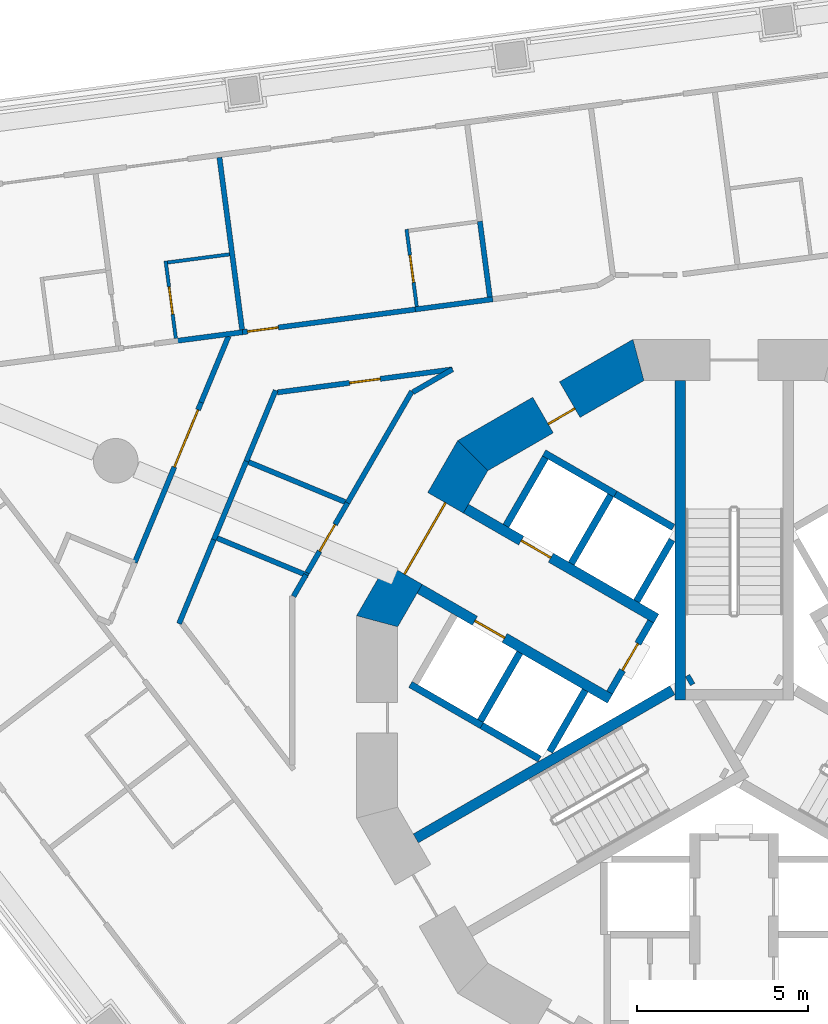
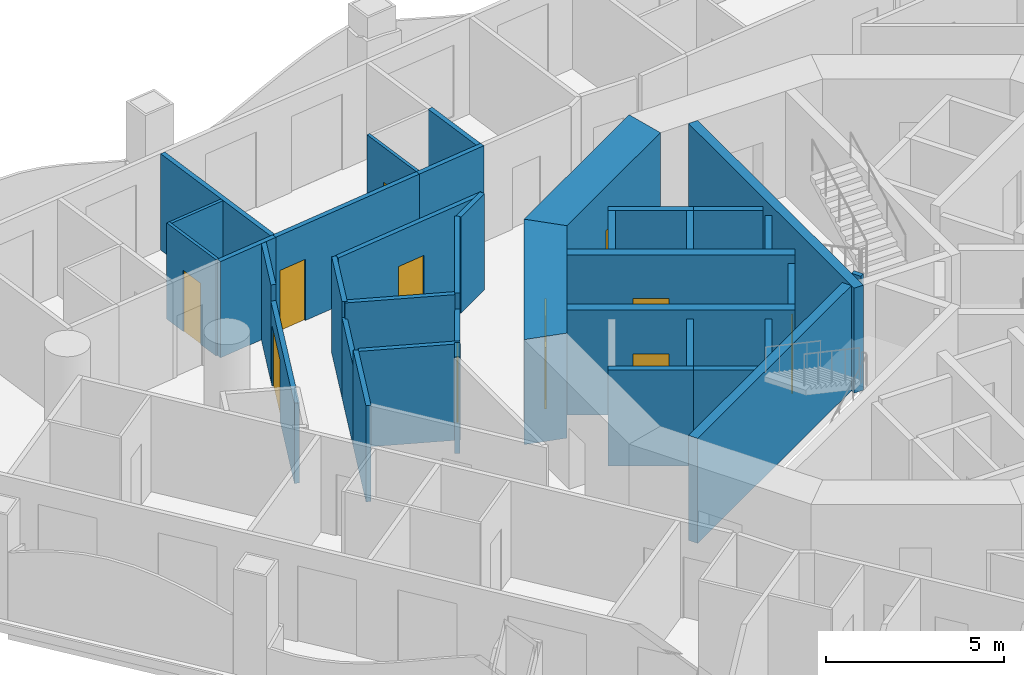
# One storey, part 7 of 19: 37 walls, 11 doors, 11 openings.
"""IFC4 building model written with IfcOpenShell, lengths in metres."""

import ifcopenshell
import ifcopenshell.guid

model = None  # the IFC model being written
_history = None  # IfcOwnerHistory: only IFC2X3 demands one
_inside = {}  # id of a spatial element -> (the spatial element, [elements in it])
_under = {}  # id of a project, library or spatial element -> (it, [spatial elements below it])
_declared = {}  # id of a project -> (the project, [libraries it declares])
_typed = {}  # id of a type object -> (the type object, [elements of that type])
_made_of = {}  # id of a material, layer set ... -> (it, [elements and type objects made of it])


def new_model(schema):
    """Start an empty IFC model of exactly this schema.

    Asked for "IFC4X3", IfcOpenShell would pick the latest addendum, in which some entities
    have other attributes; the version numbers below select the first issue.
    IFC2X3 requires an IfcOwnerHistory on every rooted entity: one is made here for all.
    """
    global model, _history
    if schema == "IFC4X3":
        model = ifcopenshell.file(schema_version=(4, 3, 0, 0))
    else:
        model = ifcopenshell.file(schema=schema)
    _inside.clear()
    _under.clear()
    _declared.clear()
    _typed.clear()
    _made_of.clear()
    _history = None
    if model.schema == "IFC2X3":
        org = make("IfcOrganization", Name="unknown")
        user = make(
            "IfcPersonAndOrganization",
            ThePerson=make("IfcPerson", FamilyName="unknown"),
            TheOrganization=org,
        )
        app = make(
            "IfcApplication",
            ApplicationDeveloper=org,
            Version="unknown",
            ApplicationFullName="unknown",
            ApplicationIdentifier="unknown",
        )
        _history = make(
            "IfcOwnerHistory",
            OwningUser=user,
            OwningApplication=app,
            ChangeAction="ADDED",
            CreationDate=0,
        )
    return model


def make(cls, **values):
    """One entity of the class cls with the attributes given. An attribute that is None is left unset."""
    return model.create_entity(
        cls, **{name: value for name, value in values.items() if value is not None}
    )


def rooted(cls, **values):
    """An entity with a GlobalId (a new one), such as an element, a storey or a relation."""
    return make(cls, GlobalId=ifcopenshell.guid.new(), OwnerHistory=_history, **values)


def si_unit(unit_type, name, prefix=None):
    """IfcSIUnit, for example si_unit("LENGTHUNIT", "METRE", prefix="MILLI")."""
    return make("IfcSIUnit", UnitType=unit_type, Prefix=prefix, Name=name)


def assignment(units):
    """IfcUnitAssignment: the units of a project."""
    return None if units is None else make("IfcUnitAssignment", Units=units)


def point(xyz):
    """IfcCartesianPoint."""
    return None if xyz is None else make("IfcCartesianPoint", Coordinates=xyz)


def direction(xyz):
    """IfcDirection."""
    return None if xyz is None else make("IfcDirection", DirectionRatios=xyz)


def frame(location, z_axis=None, x_axis=None):
    """IfcAxis2Placement3D, a coordinate frame: its origin and axes. An axis left out is left unset."""
    return make(
        "IfcAxis2Placement3D",
        Location=point(location),
        Axis=direction(z_axis),
        RefDirection=direction(x_axis),
    )


def frame_2d(location, x_axis=None):
    """IfcAxis2Placement2D, a coordinate frame in the plane: its origin and x axis."""
    return make(
        "IfcAxis2Placement2D", Location=point(location), RefDirection=direction(x_axis)
    )


def origin():
    """The frame at (0, 0, 0) with its axes left unset."""
    return frame((0.0, 0.0, 0.0))


def place(relative_to, where):
    """IfcLocalPlacement: puts the frame where relative to a parent placement (None: the world)."""
    return make(
        "IfcLocalPlacement", PlacementRelTo=relative_to, RelativePlacement=where
    )


def context(
    kind, dimensions, precision=None, world=None, true_north=None, identifier=None
):
    """IfcGeometricRepresentationContext, for example the 3D "Model" context."""
    return make(
        "IfcGeometricRepresentationContext",
        ContextIdentifier=identifier,
        ContextType=kind,
        CoordinateSpaceDimension=dimensions,
        Precision=precision,
        WorldCoordinateSystem=world,
        TrueNorth=true_north,
    )


def subcontext(parent, identifier, kind, view, scale=None):
    """IfcGeometricRepresentationSubContext, for example "Body" below "Model"."""
    return make(
        "IfcGeometricRepresentationSubContext",
        ContextIdentifier=identifier,
        ContextType=kind,
        ParentContext=parent,
        TargetScale=scale,
        TargetView=view,
    )


def project(units=None, contexts=None):
    """IfcProject with its units and contexts."""
    return rooted(
        "IfcProject",
        Name="project",
        RepresentationContexts=contexts,
        UnitsInContext=assignment(units),
    )


def spatial(cls, under=None, at=None, **own):
    """A site, building, storey or space (cls), placed at a placement, below another one or the project."""
    s = rooted(cls, ObjectPlacement=at, **own)
    if under is not None:
        _under.setdefault(under.id(), (under, []))[1].append(s)
    return s


def polyline(points):
    """IfcPolyline through the points."""
    return make("IfcPolyline", Points=[point(p) for p in points])


def profile(cls, at=None, kind="AREA", **sizes):
    """A parametric profile (cls). Its sizes go by their IFC names, for example OverallWidth=200.0."""
    return make(cls, ProfileType=kind, Position=at, **sizes)


def rectangle(**sizes):
    """IfcRectangleProfileDef."""
    return profile("IfcRectangleProfileDef", **sizes)


def outline(outer, holes=None, kind="AREA"):
    """IfcArbitraryClosedProfileDef: a profile drawn as a closed curve; with holes, ...WithVoids."""
    if holes is None:
        return make("IfcArbitraryClosedProfileDef", ProfileType=kind, OuterCurve=outer)
    return make(
        "IfcArbitraryProfileDefWithVoids",
        ProfileType=kind,
        OuterCurve=outer,
        InnerCurves=holes,
    )


def extrude(swept, where, along, depth):
    """IfcExtrudedAreaSolid: the profile swept, set in the frame where, extruded along a direction by depth."""
    return make(
        "IfcExtrudedAreaSolid",
        SweptArea=swept,
        Position=where,
        ExtrudedDirection=direction(along),
        Depth=depth,
    )


def shape(context_of_items, identifier, shape_type, items):
    """IfcShapeRepresentation: the items that make up one representation, for example the "Body"."""
    return make(
        "IfcShapeRepresentation",
        ContextOfItems=context_of_items,
        RepresentationIdentifier=identifier,
        RepresentationType=shape_type,
        Items=items,
    )


def material(Name=None, Category=None):
    """IfcMaterial."""
    return make("IfcMaterial", Name=Name, Category=Category)


def layer(
    of_material, thickness, ventilated=None, Name=None, Category=None, Priority=None
):
    """IfcMaterialLayer: one layer of a wall or slab, of a material (None: an air gap)."""
    return make(
        "IfcMaterialLayer",
        Material=of_material,
        LayerThickness=thickness,
        IsVentilated=ventilated,
        Name=Name,
        Category=Category,
        Priority=Priority,
    )


def layer_set(layers, Name=None):
    """IfcMaterialLayerSet."""
    return make("IfcMaterialLayerSet", MaterialLayers=layers, LayerSetName=Name)


def made_of(thing, what):
    """Note that an element or type object is made of a material, layer set ...; save() writes the relation."""
    if what is not None:
        _made_of.setdefault(what.id(), (what, []))[1].append(thing)
    return thing


def type_object(cls, material=None, **own):
    """A type object (cls), such as IfcWallType, which elements share."""
    return made_of(rooted(cls, **own), material)


def element(
    cls,
    number,
    at=None,
    inside=None,
    cuts=None,
    type_object=None,
    material=None,
    context=None,
    identifier="Body",
    shape_type=None,
    held_by="IfcProductDefinitionShape",
    body=None,
    shapes=None,
    **own,
):
    """One element of the class cls, such as IfcWall. Its Tag is "e" and its number.

    at: its placement. inside: the storey or other place that contains it. cuts: it is an
    opening in that element (IfcRelVoidsElement). A single representation is given by context,
    identifier, shape_type and body (its items); several are given by shapes. held_by: the class
    of the entity that holds the representations. save() writes the other relations.
    """
    e = rooted(cls, Tag="e%d" % number, ObjectPlacement=at, **own)
    if body is not None:
        shapes = [shape(context, identifier, shape_type, body)]
    if shapes is not None:
        e.Representation = make(held_by, Representations=shapes)
    if inside is not None:
        _inside.setdefault(inside.id(), (inside, []))[1].append(e)
    if cuts is not None:
        rooted(
            "IfcRelVoidsElement", RelatingBuildingElement=cuts, RelatedOpeningElement=e
        )
    if type_object is not None:
        _typed.setdefault(type_object.id(), (type_object, []))[1].append(e)
    return made_of(e, material)


def fill(opening, filler):
    """IfcRelFillsElement: the door or window that sits in an opening."""
    return rooted(
        "IfcRelFillsElement",
        RelatingOpeningElement=opening,
        RelatedBuildingElement=filler,
    )


def aggregate(whole, parts):
    """IfcRelAggregates: a whole, such as a stair, and the parts it consists of."""
    return rooted("IfcRelAggregates", RelatingObject=whole, RelatedObjects=parts)


def save(model, path):
    """Write the relations noted so far, then the file.

    IfcRelAggregates (storeys below a building ...), IfcRelContainedInSpatialStructure (elements
    in a storey), IfcRelDefinesByType, IfcRelAssociatesMaterial and IfcRelDeclares: one each for
    every whole, place, type object, material and project.
    """
    for whole, parts in _under.values():
        aggregate(whole, parts)
    for where, things in _inside.values():
        rooted(
            "IfcRelContainedInSpatialStructure",
            RelatedElements=things,
            RelatingStructure=where,
        )
    for kind, things in _typed.values():
        rooted("IfcRelDefinesByType", RelatedObjects=things, RelatingType=kind)
    for what, things in _made_of.values():
        rooted("IfcRelAssociatesMaterial", RelatedObjects=things, RelatingMaterial=what)
    for by, libraries in _declared.values():
        rooted("IfcRelDeclares", RelatingContext=by, RelatedDefinitions=libraries)
    model.write(path)


model = new_model("IFC4")

# Units and contexts
model_context = context("Model", 3, precision=1e-05, world=origin(), true_north=direction((0.0, 1.0)))
body_context = subcontext(model_context, "Body", "Model", "MODEL_VIEW")
ifc_project = project(units=[si_unit("LENGTHUNIT", "METRE"), si_unit("AREAUNIT", "SQUARE_METRE"), si_unit("VOLUMEUNIT", "CUBIC_METRE"), si_unit("PLANEANGLEUNIT", "RADIAN"), si_unit("MASSUNIT", "GRAM", prefix="KILO")], contexts=[model_context])

# Site, building, storey
site_placement = place(None, origin())
site = spatial("IfcSite", under=ifc_project, at=site_placement, CompositionType="ELEMENT")
building_placement = place(site_placement, origin())
building = spatial("IfcBuilding", under=site, at=building_placement, Name="Trine Commons Tower", CompositionType="ELEMENT")
storey_placement = place(building_placement, frame((0.0, 0.0, 72.0)))
storey = spatial("IfcBuildingStorey", under=building, at=storey_placement, Name="L17", CompositionType="ELEMENT", Elevation=72.0)

# Wall, opening, door
ifc_material_1 = material(Name="Fire-rated gypsum shaft wall system")
ifc_layer_1 = layer(ifc_material_1, 0.199951171875)
ifc_layer_set_1 = layer_set([ifc_layer_1], Name="Fire-rated gypsum shaft wall system")
wall_type_1 = type_object("IfcWallType", Name="Lobby end wall 200 mm, EI 120", PredefinedType="PARTITIONING", material=ifc_layer_set_1)
wall_1_placement = place(storey_placement, frame((77.569091796875, 65.2890625, 0.0), z_axis=(0.0, 0.0, 1.0), x_axis=(-0.50012165622, -0.865955154139, 0.0)))
wall_1 = element("IfcWall", 1, at=wall_1_placement, inside=storey, type_object=wall_type_1, Name="Lobby end wall L17", PredefinedType="PARTITIONING", context=body_context, shape_type="SweptSolid", body=[
    extrude(rectangle(XDim=2.39990234375, YDim=0.199951171875, at=frame_2d((1.199951171875, 0.0))), origin(), (0.0, 0.0, 1.0), 3.300048828125),
])
opening_1_placement = place(wall_1_placement, frame((0.749755859375, 0.0, 0.0)))
opening_1 = element("IfcOpeningElement", 2, at=opening_1_placement, cuts=wall_1, Name="Opening K04.07", PredefinedType="OPENING", context=body_context, shape_type="SweptSolid", body=[
    extrude(rectangle(XDim=0.89990234375, YDim=2.10009765625, at=frame_2d((0.449951171875, 1.050048828125))), frame((0.0, 0.10986328125, 0.0), z_axis=(0.0, -1.0, 0.0), x_axis=(1.0, 0.0, 0.0)), (0.0, 0.0, 1.0), 0.219970703125),
])
ifc_material_2 = material(Name="Steel door leaf, fire-rated", Category="steel")
door_type_1 = type_object("IfcDoorType", Name="Riser access door, single leaf 900 x 2100, FD60", OperationType="SINGLE_SWING_LEFT", PredefinedType="DOOR", material=ifc_material_2)
door_1_placement = place(opening_1_placement, frame((0.89990234375, 0.0, 0.0), z_axis=(0.0, 0.0, 1.0), x_axis=(-1.0, 0.0, 0.0)))
door_1 = element("IfcDoor", 3, at=door_1_placement, inside=storey, type_object=door_type_1, Name="Riser door, Mechanical riser L17", OperationType="SINGLE_SWING_RIGHT", OverallHeight=2.10009765625, OverallWidth=0.89990234375, PredefinedType="DOOR", context=body_context, shape_type="SweptSolid", body=[
    extrude(rectangle(XDim=0.89990234375, YDim=2.10009765625, at=frame_2d((0.449951171875, 1.050048828125))), frame((0.0, 0.02490234375, 0.0), z_axis=(0.0, -1.0, 0.0), x_axis=(1.0, 0.0, 0.0)), (0.0, 0.0, 1.0), 0.050048828125),
])
fill(opening_1, door_1)

ifc_material_3 = material(Name="Concrete C80/95", Category="concrete")
ifc_layer_2 = layer(ifc_material_3, 1.199951171875)
ifc_layer_set_2 = layer_set([ifc_layer_2], Name="Concrete C80/95")
wall_type_2 = type_object("IfcWallType", Name="RC shear wall 1200 mm, C80/95", PredefinedType="SHEAR", material=ifc_layer_set_2)
wall_2_placement = place(storey_placement, frame((77.349609375, 72.991943359375, 0.0), z_axis=(0.0, 0.0, 1.0), x_axis=(-0.866037463336, -0.499979111662, 0.0)))
wall_2 = element("IfcWall", 4, at=wall_2_placement, inside=storey, type_object=wall_type_2, Name="Core wall CWB-05 L17", PredefinedType="SHEAR", context=body_context, shape_type="SweptSolid", body=[
    extrude(outline(polyline([(0.0, -0.60009765625), (5.901123046875, -0.60009765625), (5.57958984375, 0.60009765625), (0.321533203125, 0.60009765625), (0.0, -0.60009765625)])), origin(), (0.0, 0.0, 1.0), 3.60009765625),
])
opening_2_placement = place(wall_2_placement, frame((2.474853515625, 0.0, 0.0)))
opening_2 = element("IfcOpeningElement", 5, at=opening_2_placement, cuts=wall_2, Name="Opening K04.13", PredefinedType="OPENING", context=body_context, shape_type="SweptSolid", body=[
    extrude(rectangle(XDim=0.89990234375, YDim=2.10009765625, at=frame_2d((0.449951171875, 1.050048828125))), frame((0.0, 0.60986328125, 0.0), z_axis=(0.0, -1.0, 0.0), x_axis=(1.0, 0.0, 0.0)), (0.0, 0.0, 1.0), 1.219970703125),
])
door_type_2 = type_object("IfcDoorType", Name="Core room door, single leaf 900 x 2100, FD30S", OperationType="SINGLE_SWING_LEFT", PredefinedType="DOOR", material=ifc_material_2)
door_2_placement = place(opening_2_placement, origin())
door_2 = element("IfcDoor", 6, at=door_2_placement, inside=storey, type_object=door_type_2, Name="Door to Comms room L17", OperationType="SINGLE_SWING_LEFT", OverallHeight=2.10009765625, OverallWidth=0.89990234375, PredefinedType="DOOR", context=body_context, shape_type="SweptSolid", body=[
    extrude(rectangle(XDim=0.89990234375, YDim=2.10009765625, at=frame_2d((0.449951171875, 1.050048828125))), frame((0.0, 0.3251953125, 0.0), z_axis=(0.0, -1.0, 0.0), x_axis=(1.0, 0.0, 0.0)), (0.0, 0.0, 1.0), 0.050048828125),
])
fill(opening_2, door_2)

wall_3_placement = place(storey_placement, frame((72.45849609375, 70.260986328125, 0.0), z_axis=(0.0, 0.0, 1.0), x_axis=(-0.499979111662, -0.866037463336, 0.0)))
wall_3 = element("IfcWall", 7, at=wall_3_placement, inside=storey, type_object=wall_type_2, Name="Core wall CWB-06 L17", PredefinedType="SHEAR", context=body_context, shape_type="SweptSolid", body=[
    extrude(outline(polyline([(0.0, -0.60009765625), (5.901123046875, -0.60009765625), (5.57958984375, 0.60009765625), (0.321533203125, 0.60009765625), (0.0, -0.60009765625)])), origin(), (0.0, 0.0, 1.0), 3.60009765625),
])
opening_3_placement = place(wall_3_placement, frame((1.75048828125, 0.0, 0.0)))
opening_3 = element("IfcOpeningElement", 8, at=opening_3_placement, cuts=wall_3, Name="Opening K04.06", PredefinedType="OPENING", context=body_context, shape_type="SweptSolid", body=[
    extrude(rectangle(XDim=2.39990234375, YDim=2.10009765625, at=frame_2d((1.199951171875, 1.050048828125))), frame((0.0, 0.60986328125, 0.0), z_axis=(0.0, -1.0, 0.0), x_axis=(1.0, 0.0, 0.0)), (0.0, 0.0, 1.0), 1.219970703125),
])
ifc_material_4 = material(Name="Steel door leaves, fire-rated", Category="steel")
door_type_3 = type_object("IfcDoorType", Name="Lobby door, double leaf 2400 x 2100, FD60", OperationType="DOUBLE_DOOR_SINGLE_SWING", PredefinedType="DOOR", material=ifc_material_4)
door_3_placement = place(opening_3_placement, origin())
door_3 = element("IfcDoor", 9, at=door_3_placement, inside=storey, type_object=door_type_3, Name="Lobby door, Passenger lift lobby B L17", OperationType="DOUBLE_DOOR_SINGLE_SWING", OverallHeight=2.10009765625, OverallWidth=2.39990234375, PredefinedType="DOOR", context=body_context, shape_type="SweptSolid", body=[
    extrude(rectangle(XDim=2.39990234375, YDim=2.10009765625, at=frame_2d((1.199951171875, 1.050048828125))), frame((0.0, 0.02490234375, 0.0), z_axis=(0.0, -1.0, 0.0), x_axis=(1.0, 0.0, 0.0)), (0.0, 0.0, 1.0), 0.050048828125),
])
fill(opening_3, door_3)

ifc_layer_3 = layer(ifc_material_3, 0.300048828125)
ifc_layer_set_3 = layer_set([ifc_layer_3], Name="Concrete C80/95")
wall_type_3 = type_object("IfcWallType", Name="RC shear wall 300 mm, C80/95", PredefinedType="SHEAR", material=ifc_layer_set_3)
wall_4_placement = place(storey_placement, frame((76.381103515625, 63.031005859375, 0.0), z_axis=(0.0, 0.0, 1.0), x_axis=(-0.866032150378, 0.499988314375, 0.0)))
wall_4 = element("IfcWall", 10, at=wall_4_placement, inside=storey, type_object=wall_type_3, Name="Core cross wall SWA-01 L17", PredefinedType="SHEAR", context=body_context, shape_type="SweptSolid", body=[
    extrude(rectangle(XDim=6.412353515625, YDim=0.300048828125, at=frame_2d((3.2060546875, 0.0))), origin(), (0.0, 0.0, 1.0), 3.60009765625),
])
opening_4_placement = place(wall_4_placement, frame((3.55029296875, 0.0, 0.0)))
opening_4 = element("IfcOpeningElement", 11, at=opening_4_placement, cuts=wall_4, Name="Opening LD3", PredefinedType="OPENING", context=body_context, shape_type="SweptSolid", body=[
    extrude(rectangle(XDim=1.0, YDim=2.10009765625, at=frame_2d((0.5, 1.050048828125))), frame((0.0, 0.159912109375, 0.0), z_axis=(0.0, -1.0, 0.0), x_axis=(1.0, 0.0, 0.0)), (0.0, 0.0, 1.0), 0.320068359375),
])
ifc_material_5 = material(Name="Stainless steel sliding door leaves", Category="steel")
door_type_4 = type_object("IfcDoorType", Name="Lift landing door, centre-opening sliding 1000 x 2100, FD90", OperationType="DOUBLE_DOOR_SLIDING", PredefinedType="DOOR", material=ifc_material_5)
door_4_placement = place(opening_4_placement, origin())
door_4 = element("IfcDoor", 12, at=door_4_placement, inside=storey, type_object=door_type_4, Name="Lift landing door LR3 L17", OperationType="DOUBLE_DOOR_SLIDING", OverallHeight=2.10009765625, OverallWidth=1.0, PredefinedType="DOOR", context=body_context, shape_type="SweptSolid", body=[
    extrude(rectangle(XDim=1.0, YDim=2.10009765625, at=frame_2d((0.5, 1.050048828125))), frame((0.0, 0.02490234375, 0.0), z_axis=(0.0, -1.0, 0.0), x_axis=(1.0, 0.0, 0.0)), (0.0, 0.0, 1.0), 0.050048828125),
])
fill(opening_4, door_4)

wall_5_placement = place(storey_placement, frame((77.73095703125, 65.368896484375, 0.0), z_axis=(0.0, 0.0, 1.0), x_axis=(-0.866022631842, 0.500004801114, 0.0)))
wall_5 = element("IfcWall", 13, at=wall_5_placement, inside=storey, type_object=wall_type_3, Name="Core cross wall SWA-02 L17", PredefinedType="SHEAR", context=body_context, shape_type="SweptSolid", body=[
    extrude(rectangle(XDim=6.412109375, YDim=0.300048828125, at=frame_2d((3.2060546875, 0.0))), origin(), (0.0, 0.0, 1.0), 3.60009765625),
])
opening_5_placement = place(wall_5_placement, frame((3.55029296875, 0.0, 0.0)))
opening_5 = element("IfcOpeningElement", 14, at=opening_5_placement, cuts=wall_5, Name="Opening LD4", PredefinedType="OPENING", context=body_context, shape_type="SweptSolid", body=[
    extrude(rectangle(XDim=1.0, YDim=2.10009765625, at=frame_2d((0.5, 1.050048828125))), frame((0.0, 0.159912109375, 0.0), z_axis=(0.0, -1.0, 0.0), x_axis=(1.0, 0.0, 0.0)), (0.0, 0.0, 1.0), 0.320068359375),
])
door_5_placement = place(opening_5_placement, origin())
door_5 = element("IfcDoor", 15, at=door_5_placement, inside=storey, type_object=door_type_4, Name="Lift landing door LR4 L17", OperationType="DOUBLE_DOOR_SLIDING", OverallHeight=2.10009765625, OverallWidth=1.0, PredefinedType="DOOR", context=body_context, shape_type="SweptSolid", body=[
    extrude(rectangle(XDim=1.0, YDim=2.10009765625, at=frame_2d((0.5, 1.050048828125))), frame((0.0, 0.02490234375, 0.0), z_axis=(0.0, -1.0, 0.0), x_axis=(1.0, 0.0, 0.0)), (0.0, 0.0, 1.0), 0.050048828125),
])
fill(opening_5, door_5)

# Walls
wall_6_placement = place(storey_placement, frame((78.199951171875, 63.280029296875, 0.0), z_axis=(0.0, 0.0, 1.0), x_axis=(-0.865965399159, -0.500103916661, 0.0)))
element("IfcWall", 16, at=wall_6_placement, inside=storey, type_object=wall_type_3, Name="Core cross wall SWA-07 L17", PredefinedType="SHEAR", context=body_context, shape_type="SweptSolid", body=[
    extrude(rectangle(XDim=8.642333984375, YDim=0.300048828125, at=frame_2d((4.3212890625, 0.0))), origin(), (0.0, 0.0, 1.0), 3.60009765625),
])
wall_7_placement = place(storey_placement, frame((78.425048828125, 63.0009765625, 0.0), z_axis=(0.0, 0.0, 1.0), x_axis=(0.0, 1.0, 0.0)))
element("IfcWall", 17, at=wall_7_placement, inside=storey, type_object=wall_type_3, Name="Core cross wall SWA-08 L17", PredefinedType="SHEAR", context=body_context, shape_type="SweptSolid", body=[
    extrude(rectangle(XDim=9.31103515625, YDim=0.300048828125, at=frame_2d((4.655517578125, 0.0))), origin(), (0.0, 0.0, 1.0), 3.60009765625),
])
wall_8_placement = place(storey_placement, frame((78.779052734375, 63.614013671875, 0.0), z_axis=(0.0, 0.0, 1.0), x_axis=(-0.867737973955, -0.497021939713, 0.0)))
element("IfcWall", 18, at=wall_8_placement, inside=storey, type_object=wall_type_3, Name="Core cross wall SWA-09 L17", PredefinedType="SHEAR", context=body_context, shape_type="SweptSolid", body=[
    extrude(rectangle(XDim=0.14892578125, YDim=0.300048828125, at=frame_2d((0.074462890625, 0.0))), origin(), (0.0, 0.0, 1.0), 3.60009765625),
])
ifc_layer_4 = layer(ifc_material_1, 0.199951171875)
ifc_layer_set_4 = layer_set([ifc_layer_4], Name="Fire-rated gypsum shaft wall system")
wall_type_4 = type_object("IfcWallType", Name="Shaft wall 200 mm, EI 120", PredefinedType="PARTITIONING", material=ifc_layer_set_4)
wall_9_placement = place(storey_placement, frame((72.637939453125, 62.248046875, 0.0), z_axis=(0.0, 0.0, 1.0), x_axis=(-0.866177122335, 0.499737123639, 0.0)))
element("IfcWall", 19, at=wall_9_placement, inside=storey, type_object=wall_type_4, Name="Shaft wall L17", PredefinedType="PARTITIONING", context=body_context, shape_type="SweptSolid", body=[
    extrude(rectangle(XDim=2.401123046875, YDim=0.199951171875, at=frame_2d((1.20068359375, 0.0))), origin(), (0.0, 0.0, 1.0), 3.300048828125),
])
wall_10_placement = place(storey_placement, frame((73.344970703125, 68.073974609375, 0.0), z_axis=(0.0, 0.0, 1.0), x_axis=(0.500215680983, 0.865900844496, 0.0)))
element("IfcWall", 20, at=wall_10_placement, inside=storey, type_object=wall_type_4, Name="Shaft wall L17", PredefinedType="PARTITIONING", context=body_context, shape_type="SweptSolid", body=[
    extrude(rectangle(XDim=2.29931640625, YDim=0.199951171875, at=frame_2d((1.149658203125, 0.0))), origin(), (0.0, 0.0, 1.0), 3.300048828125),
])
wall_11_placement = place(storey_placement, frame((73.7509765625, 64.3759765625, 0.0), z_axis=(0.0, 0.0, 1.0), x_axis=(-0.500136062276, -0.86594683394, 0.0)))
element("IfcWall", 21, at=wall_11_placement, inside=storey, type_object=wall_type_4, Name="Shaft wall L17", PredefinedType="PARTITIONING", context=body_context, shape_type="SweptSolid", body=[
    extrude(rectangle(XDim=2.299072265625, YDim=0.199951171875, at=frame_2d((1.1494140625, 0.0))), origin(), (0.0, 0.0, 1.0), 3.300048828125),
])
wall_12_placement = place(storey_placement, frame((74.324951171875, 61.27294921875, 0.0), z_axis=(0.0, 0.0, 1.0), x_axis=(-0.865780634835, 0.500423712812, 0.0)))
element("IfcWall", 22, at=wall_12_placement, inside=storey, type_object=wall_type_4, Name="Shaft wall L17", PredefinedType="PARTITIONING", context=body_context, shape_type="SweptSolid", body=[
    extrude(rectangle(XDim=1.948486328125, YDim=0.199951171875, at=frame_2d((0.97412109375, 0.0))), origin(), (0.0, 0.0, 1.0), 3.300048828125),
])
wall_13_placement = place(storey_placement, frame((75.2509765625, 66.97412109375, 0.0), z_axis=(0.0, 0.0, 1.0), x_axis=(0.500136062276, 0.86594683394, 0.0)))
element("IfcWall", 23, at=wall_13_placement, inside=storey, type_object=wall_type_4, Name="Shaft wall L17", PredefinedType="PARTITIONING", context=body_context, shape_type="SweptSolid", body=[
    extrude(rectangle(XDim=2.299072265625, YDim=0.199951171875, at=frame_2d((1.1494140625, 0.0))), origin(), (0.0, 0.0, 1.0), 3.300048828125),
])
wall_14_placement = place(storey_placement, frame((75.656005859375, 63.27587890625, 0.0), z_axis=(0.0, 0.0, 1.0), x_axis=(-0.500271688072, -0.86586848777, 0.0)))
element("IfcWall", 24, at=wall_14_placement, inside=storey, type_object=wall_type_4, Name="Shaft wall L17", PredefinedType="PARTITIONING", context=body_context, shape_type="SweptSolid", body=[
    extrude(rectangle(XDim=2.064697265625, YDim=0.199951171875, at=frame_2d((1.0322265625, 0.0))), origin(), (0.0, 0.0, 1.0), 3.300048828125),
])
wall_15_placement = place(storey_placement, frame((76.5380859375, 69.001953125, 0.0), z_axis=(0.0, 0.0, 1.0), x_axis=(-0.866202511239, 0.499693115345, 0.0)))
element("IfcWall", 25, at=wall_15_placement, inside=storey, type_object=wall_type_4, Name="Shaft wall L17", PredefinedType="PARTITIONING", context=body_context, shape_type="SweptSolid", body=[
    extrude(rectangle(XDim=2.4013671875, YDim=0.199951171875, at=frame_2d((1.20068359375, 0.0))), origin(), (0.0, 0.0, 1.0), 3.300048828125),
])
wall_16_placement = place(storey_placement, frame((77.156005859375, 65.8740234375, 0.0), z_axis=(0.0, 0.0, 1.0), x_axis=(0.499865770674, 0.866102887253, 0.0)))
element("IfcWall", 26, at=wall_16_placement, inside=storey, type_object=wall_type_4, Name="Shaft wall L17", PredefinedType="PARTITIONING", context=body_context, shape_type="SweptSolid", body=[
    extrude(rectangle(XDim=2.064453125, YDim=0.199951171875, at=frame_2d((1.0322265625, 0.0))), origin(), (0.0, 0.0, 1.0), 3.300048828125),
])
wall_17_placement = place(storey_placement, frame((78.22509765625, 68.028076171875, 0.0), z_axis=(0.0, 0.0, 1.0), x_axis=(-0.866052014814, 0.499953905513, 0.0)))
element("IfcWall", 27, at=wall_17_placement, inside=storey, type_object=wall_type_4, Name="Shaft wall L17", PredefinedType="PARTITIONING", context=body_context, shape_type="SweptSolid", body=[
    extrude(rectangle(XDim=1.947998046875, YDim=0.199951171875, at=frame_2d((0.97412109375, 0.0))), origin(), (0.0, 0.0, 1.0), 3.300048828125),
])

# Wall, opening, door
ifc_material_6 = material(Name="Gypsum plasterboard on steel stud", Category="steel")
ifc_layer_5 = layer(ifc_material_6, 0.14990234375)
ifc_layer_set_5 = layer_set([ifc_layer_5], Name="Gypsum plasterboard on steel stud")
wall_type_5 = type_object("IfcWallType", Name="Unit and corridor wall 150 mm, EI 60", PredefinedType="PARTITIONING", material=ifc_layer_set_5)
wall_18_placement = place(storey_placement, frame((62.52197265625, 67.007080078125, 0.0), z_axis=(0.0, 0.0, 1.0), x_axis=(0.382650715136, 0.923893083753, 0.0)))
wall_18 = element("IfcWall", 28, at=wall_18_placement, inside=storey, type_object=wall_type_5, Name="Partition 022", PredefinedType="PARTITIONING", context=body_context, shape_type="SweptSolid", body=[
    extrude(rectangle(XDim=5.04931640625, YDim=0.14990234375, at=frame_2d((2.524658203125, 0.0))), origin(), (0.0, 0.0, 1.0), 2.75),
])
opening_6_placement = place(wall_18_placement, frame((3.014404296875, 0.0, 0.0)))
opening_6 = element("IfcOpeningElement", 29, at=opening_6_placement, cuts=wall_18, Name="Opening D-2C03", PredefinedType="OPENING", context=body_context, shape_type="SweptSolid", body=[
    extrude(rectangle(XDim=1.800048828125, YDim=2.10009765625, at=frame_2d((0.89990234375, 1.050048828125))), frame((0.0, 0.0849609375, 0.0), z_axis=(0.0, -1.0, 0.0), x_axis=(1.0, 0.0, 0.0)), (0.0, 0.0, 1.0), 0.169921875),
])
ifc_material_7 = material(Name="Timber fire door set", Category="wood")
door_type_5 = type_object("IfcDoorType", Name="Cluster entrance door 1800 x 2100, double leaf, FD30S", OperationType="DOUBLE_DOOR_DOUBLE_SWING", PredefinedType="DOOR", material=ifc_material_7)
door_6_placement = place(opening_6_placement, origin())
door_6 = element("IfcDoor", 30, at=door_6_placement, inside=storey, type_object=door_type_5, Name="Door D-2C03", OperationType="DOUBLE_DOOR_DOUBLE_SWING", OverallHeight=2.10009765625, OverallWidth=1.800048828125, PredefinedType="DOOR", context=body_context, shape_type="SweptSolid", body=[
    extrude(rectangle(XDim=1.800048828125, YDim=2.10009765625, at=frame_2d((0.89990234375, 1.050048828125))), frame((0.0, 0.02490234375, 0.0), z_axis=(0.0, -1.0, 0.0), x_axis=(1.0, 0.0, 0.0)), (0.0, 0.0, 1.0), 0.050048828125),
])
fill(opening_6, door_6)

# Walls
wall_19_placement = place(storey_placement, frame((63.722900390625, 73.467041015625, 0.0), z_axis=(0.0, 0.0, 1.0), x_axis=(0.991489487772, 0.130186772134, 0.0)))
element("IfcWall", 31, at=wall_19_placement, inside=storey, type_object=wall_type_5, Name="Partition 026", PredefinedType="PARTITIONING", context=body_context, shape_type="SweptSolid", body=[
    extrude(rectangle(XDim=1.957763671875, YDim=0.14990234375, at=frame_2d((0.97900390625, 0.0))), origin(), (0.0, 0.0, 1.0), 3.300048828125),
])
wall_20_placement = place(storey_placement, frame((63.811279296875, 65.2197265625, 0.0), z_axis=(0.0, 0.0, 1.0), x_axis=(0.382485754441, 0.923961388614, 0.0)))
element("IfcWall", 32, at=wall_20_placement, inside=storey, type_object=wall_type_5, Name="Partition 027", PredefinedType="PARTITIONING", context=body_context, shape_type="SweptSolid", body=[
    extrude(rectangle(XDim=2.736328125, YDim=0.14990234375, at=frame_2d((1.3681640625, 0.0))), origin(), (0.0, 0.0, 1.0), 3.300048828125),
])
wall_21_placement = place(storey_placement, frame((64.4541015625, 71.672119140625, 0.0), z_axis=(0.0, 0.0, 1.0), x_axis=(0.382922635391, 0.923780415091, 0.0)))
element("IfcWall", 33, at=wall_21_placement, inside=storey, type_object=wall_type_5, Name="Partition 029", PredefinedType="PARTITIONING", context=body_context, shape_type="SweptSolid", body=[
    extrude(rectangle(XDim=2.08984375, YDim=0.14990234375, at=frame_2d((1.044921875, 0.0))), origin(), (0.0, 0.0, 1.0), 3.300048828125),
])
wall_22_placement = place(storey_placement, frame((64.826416015625, 67.671630859375, 0.0), z_axis=(0.0, 0.0, 1.0), x_axis=(0.382785873713, 0.923837093261, 0.0)))
element("IfcWall", 34, at=wall_22_placement, inside=storey, type_object=wall_type_5, Name="Partition 031", PredefinedType="PARTITIONING", context=body_context, shape_type="SweptSolid", body=[
    extrude(rectangle(XDim=2.483642578125, YDim=0.14990234375, at=frame_2d((1.24169921875, 0.0))), origin(), (0.0, 0.0, 1.0), 2.75),
])
wall_23_placement = place(storey_placement, frame((64.92626953125, 67.71533203125, 0.0), z_axis=(0.0, 0.0, 1.0), x_axis=(0.923886418472, -0.382666807761, 0.0)))
element("IfcWall", 35, at=wall_23_placement, inside=storey, type_object=wall_type_5, Name="Partition 032", PredefinedType="PARTITIONING", context=body_context, shape_type="SweptSolid", body=[
    extrude(rectangle(XDim=2.874755859375, YDim=0.14990234375, at=frame_2d((1.4375, 0.0))), origin(), (0.0, 0.0, 1.0), 3.300048828125),
])
wall_24_placement = place(storey_placement, frame((64.9892578125, 78.8173828125, 0.0), z_axis=(0.0, 0.0, 1.0), x_axis=(0.130499406053, -0.991448387471, 0.0)))
element("IfcWall", 36, at=wall_24_placement, inside=storey, type_object=wall_type_5, Name="Partition 033", PredefinedType="PARTITIONING", context=body_context, shape_type="SweptSolid", body=[
    extrude(rectangle(XDim=5.064208984375, YDim=0.14990234375, at=frame_2d((2.5322265625, 0.0))), origin(), (0.0, 0.0, 1.0), 3.300048828125),
])

# Wall, opening, door
wall_25_placement = place(storey_placement, frame((65.656005859375, 73.720947265625, 0.0), z_axis=(0.0, 0.0, 1.0), x_axis=(0.991434260867, 0.130606685815, 0.0)))
wall_25 = element("IfcWall", 37, at=wall_25_placement, inside=storey, type_object=wall_type_5, Name="Partition 034", PredefinedType="PARTITIONING", context=body_context, shape_type="SweptSolid", body=[
    extrude(rectangle(XDim=5.146240234375, YDim=0.14990234375, at=frame_2d((2.5732421875, 0.0))), origin(), (0.0, 0.0, 1.0), 3.300048828125),
])
opening_7_placement = place(wall_25_placement, frame((0.154052734375, 0.0, 0.0)))
opening_7 = element("IfcOpeningElement", 38, at=opening_7_placement, cuts=wall_25, Name="Opening D-2C09", PredefinedType="OPENING", context=body_context, shape_type="SweptSolid", body=[
    extrude(rectangle(XDim=0.89990234375, YDim=2.10009765625, at=frame_2d((0.449951171875, 1.050048828125))), frame((0.0, 0.0849609375, 0.0), z_axis=(0.0, -1.0, 0.0), x_axis=(1.0, 0.0, 0.0)), (0.0, 0.0, 1.0), 0.169921875),
])
door_type_6 = type_object("IfcDoorType", Name="Bedroom door 900 x 2100, FD30S", OperationType="NOTDEFINED", PredefinedType="DOOR", material=ifc_material_7)
door_7_placement = place(opening_7_placement, origin())
door_7 = element("IfcDoor", 39, at=door_7_placement, inside=storey, type_object=door_type_6, Name="Door D-2C09", OperationType="SINGLE_SWING_LEFT", OverallHeight=2.10009765625, OverallWidth=0.89990234375, PredefinedType="DOOR", context=body_context, shape_type="SweptSolid", body=[
    extrude(rectangle(XDim=0.89990234375, YDim=2.10009765625, at=frame_2d((0.449951171875, 1.050048828125))), frame((0.0, 0.02490234375, 0.0), z_axis=(0.0, -1.0, 0.0), x_axis=(1.0, 0.0, 0.0)), (0.0, 0.0, 1.0), 0.050048828125),
])
fill(opening_7, door_7)

# Walls
wall_26_placement = place(storey_placement, frame((65.77392578125, 69.9580078125, 0.0), z_axis=(0.0, 0.0, 1.0), x_axis=(0.382599241046, 0.923914401203, 0.0)))
element("IfcWall", 40, at=wall_26_placement, inside=storey, type_object=wall_type_5, Name="Partition 035", PredefinedType="PARTITIONING", context=body_context, shape_type="SweptSolid", body=[
    extrude(rectangle(XDim=2.236572265625, YDim=0.14990234375, at=frame_2d((1.1181640625, 0.0))), origin(), (0.0, 0.0, 1.0), 3.300048828125),
])
wall_27_placement = place(storey_placement, frame((65.77490234375, 69.9619140625, 0.0), z_axis=(0.0, 0.0, 1.0), x_axis=(0.923918484918, -0.382589379397, 0.0)))
element("IfcWall", 41, at=wall_27_placement, inside=storey, type_object=wall_type_5, Name="Partition 036", PredefinedType="PARTITIONING", context=body_context, shape_type="SweptSolid", body=[
    extrude(rectangle(XDim=3.115966796875, YDim=0.14990234375, at=frame_2d((1.55810546875, 0.0))), origin(), (0.0, 0.0, 1.0), 3.300048828125),
])

# Wall, opening, door
wall_28_placement = place(storey_placement, frame((66.67529296875, 71.96484375, 0.0), z_axis=(0.0, 0.0, 1.0), x_axis=(0.991459293276, 0.130416524172, 0.0)))
wall_28 = element("IfcWall", 42, at=wall_28_placement, inside=storey, type_object=wall_type_5, Name="Partition 037", PredefinedType="PARTITIONING", context=body_context, shape_type="SweptSolid", body=[
    extrude(rectangle(XDim=5.153564453125, YDim=0.14990234375, at=frame_2d((2.57666015625, 0.0))), origin(), (0.0, 0.0, 1.0), 3.300048828125),
])
opening_8_placement = place(wall_28_placement, frame((2.1259765625, 0.0, 0.0)))
opening_8 = element("IfcOpeningElement", 43, at=opening_8_placement, cuts=wall_28, Name="Opening D-2C38", PredefinedType="OPENING", context=body_context, shape_type="SweptSolid", body=[
    extrude(rectangle(XDim=0.89990234375, YDim=2.10009765625, at=frame_2d((0.449951171875, 1.050048828125))), frame((0.0, 0.0849609375, 0.0), z_axis=(0.0, -1.0, 0.0), x_axis=(1.0, 0.0, 0.0)), (0.0, 0.0, 1.0), 0.169921875),
])
door_type_7 = type_object("IfcDoorType", Name="Service door 900 x 2100, FD30S", OperationType="NOTDEFINED", PredefinedType="DOOR", material=ifc_material_7)
door_8_placement = place(opening_8_placement, frame((0.89990234375, 0.0, 0.0), z_axis=(0.0, 0.0, 1.0), x_axis=(-1.0, 0.0, 0.0)))
door_8 = element("IfcDoor", 44, at=door_8_placement, inside=storey, type_object=door_type_7, Name="Door D-2C38", OperationType="SINGLE_SWING_RIGHT", OverallHeight=2.10009765625, OverallWidth=0.89990234375, PredefinedType="DOOR", context=body_context, shape_type="SweptSolid", body=[
    extrude(rectangle(XDim=0.89990234375, YDim=2.10009765625, at=frame_2d((0.449951171875, 1.050048828125))), frame((0.0, 0.02490234375, 0.0), z_axis=(0.0, -1.0, 0.0), x_axis=(1.0, 0.0, 0.0)), (0.0, 0.0, 1.0), 0.050048828125),
])
fill(opening_8, door_8)

# Wall
wall_29_placement = place(storey_placement, frame((67.150390625, 66.01806640625, 0.0), z_axis=(0.0, 0.0, 1.0), x_axis=(0.499858068882, 0.866107332248, 0.0)))
element("IfcWall", 45, at=wall_29_placement, inside=storey, type_object=wall_type_5, Name="Partition 040", PredefinedType="PARTITIONING", context=body_context, shape_type="SweptSolid", body=[
    extrude(rectangle(XDim=0.727294921875, YDim=0.14990234375, at=frame_2d((0.36376953125, 0.0))), origin(), (0.0, 0.0, 1.0), 3.300048828125),
])

# Wall, opening, door
wall_30_placement = place(storey_placement, frame((67.547607421875, 66.704833984375, 0.0), z_axis=(0.0, 0.0, 1.0), x_axis=(0.500075472253, 0.865981825474, 0.0)))
wall_30 = element("IfcWall", 46, at=wall_30_placement, inside=storey, type_object=wall_type_5, Name="Partition 041", PredefinedType="PARTITIONING", context=body_context, shape_type="SweptSolid", body=[
    extrude(rectangle(XDim=2.354736328125, YDim=0.14990234375, at=frame_2d((1.17724609375, 0.0))), origin(), (0.0, 0.0, 1.0), 2.75),
])
opening_9_placement = place(wall_30_placement, frame((0.7255859375, 0.0, 0.0)))
opening_9 = element("IfcOpeningElement", 47, at=opening_9_placement, cuts=wall_30, Name="Opening D-2C39", PredefinedType="OPENING", context=body_context, shape_type="SweptSolid", body=[
    extrude(rectangle(XDim=0.89990234375, YDim=2.10009765625, at=frame_2d((0.449951171875, 1.050048828125))), frame((0.0, 0.0849609375, 0.0), z_axis=(0.0, -1.0, 0.0), x_axis=(1.0, 0.0, 0.0)), (0.0, 0.0, 1.0), 0.169921875),
])
door_9_placement = place(opening_9_placement, origin())
door_9 = element("IfcDoor", 48, at=door_9_placement, inside=storey, type_object=door_type_7, Name="Door D-2C39", OperationType="SINGLE_SWING_LEFT", OverallHeight=2.10009765625, OverallWidth=0.89990234375, PredefinedType="DOOR", context=body_context, shape_type="SweptSolid", body=[
    extrude(rectangle(XDim=0.89990234375, YDim=2.10009765625, at=frame_2d((0.449951171875, 1.050048828125))), frame((0.0, 0.02490234375, 0.0), z_axis=(0.0, -1.0, 0.0), x_axis=(1.0, 0.0, 0.0)), (0.0, 0.0, 1.0), 0.050048828125),
])
fill(opening_9, door_9)

# Walls
wall_31_placement = place(storey_placement, frame((68.720947265625, 68.737060546875, 0.0), z_axis=(0.0, 0.0, 1.0), x_axis=(0.499855260579, 0.866108953002, 0.0)))
element("IfcWall", 49, at=wall_31_placement, inside=storey, type_object=wall_type_5, Name="Partition 044", PredefinedType="PARTITIONING", context=body_context, shape_type="SweptSolid", body=[
    extrude(rectangle(XDim=3.76611328125, YDim=0.14990234375, at=frame_2d((1.883056640625, 0.0))), origin(), (0.0, 0.0, 1.0), 3.300048828125),
])
wall_32_placement = place(storey_placement, frame((70.630859375, 71.971435546875, 0.0), z_axis=(0.0, 0.0, 1.0), x_axis=(0.865822790046, 0.500350773195, 0.0)))
element("IfcWall", 50, at=wall_32_placement, inside=storey, type_object=wall_type_5, Name="Partition 051", PredefinedType="PARTITIONING", context=body_context, shape_type="SweptSolid", body=[
    extrude(rectangle(XDim=1.333984375, YDim=0.14990234375, at=frame_2d((0.6669921875, 0.0))), origin(), (0.0, 0.0, 1.0), 3.300048828125),
])
wall_33_placement = place(storey_placement, frame((70.700439453125, 74.385498046875, 0.0), z_axis=(0.0, 0.0, 1.0), x_axis=(0.991421134071, 0.13070629257, 0.0)))
element("IfcWall", 51, at=wall_33_placement, inside=storey, type_object=wall_type_5, Name="Partition 053", PredefinedType="PARTITIONING", context=body_context, shape_type="SweptSolid", body=[
    extrude(rectangle(XDim=2.282470703125, YDim=0.14990234375, at=frame_2d((1.14111328125, 0.0))), origin(), (0.0, 0.0, 1.0), 3.300048828125),
])
wall_34_placement = place(storey_placement, frame((72.5849609375, 76.9541015625, 0.0), z_axis=(0.0, 0.0, 1.0), x_axis=(0.130417626648, -0.991459148255, 0.0)))
element("IfcWall", 52, at=wall_34_placement, inside=storey, type_object=wall_type_5, Name="Partition 057", PredefinedType="PARTITIONING", context=body_context, shape_type="SweptSolid", body=[
    extrude(rectangle(XDim=2.225830078125, YDim=0.14990234375, at=frame_2d((1.11279296875, 0.0))), origin(), (0.0, 0.0, 1.0), 3.300048828125),
])

# Wall, opening, door
ifc_layer_6 = layer(ifc_material_6, 0.10009765625)
ifc_layer_set_6 = layer_set([ifc_layer_6], Name="Gypsum plasterboard on steel stud")
wall_type_6 = type_object("IfcWallType", Name="Unit partition 100 mm, no rating", PredefinedType="PARTITIONING", material=ifc_layer_set_6)
wall_35_placement = place(storey_placement, frame((63.42041015625, 75.797607421875, 0.0), z_axis=(0.0, 0.0, 1.0), x_axis=(0.130518372124, -0.991445890878, 0.0)))
wall_35 = element("IfcWall", 53, at=wall_35_placement, inside=storey, type_object=wall_type_6, Name="Partition 023", PredefinedType="PARTITIONING", context=body_context, shape_type="SweptSolid", body=[
    extrude(rectangle(XDim=2.274658203125, YDim=0.10009765625, at=frame_2d((1.13720703125, 0.0))), origin(), (0.0, 0.0, 1.0), 3.300048828125),
])
opening_10_placement = place(wall_35_placement, frame((0.76220703125, 0.0, 0.0)))
opening_10 = element("IfcOpeningElement", 54, at=opening_10_placement, cuts=wall_35, Name="Opening D-2C43", PredefinedType="OPENING", context=body_context, shape_type="SweptSolid", body=[
    extrude(rectangle(XDim=0.800048828125, YDim=2.10009765625, at=frame_2d((0.39990234375, 1.050048828125))), frame((0.0, 0.06005859375, 0.0), z_axis=(0.0, -1.0, 0.0), x_axis=(1.0, 0.0, 0.0)), (0.0, 0.0, 1.0), 0.1201171875),
])
ifc_material_8 = material(Name="Painted timber", Category="wood")
door_type_8 = type_object("IfcDoorType", Name="Internal door 800 x 2100, NOT RATED", OperationType="NOTDEFINED", PredefinedType="DOOR", material=ifc_material_8)
door_10_placement = place(opening_10_placement, frame((0.800048828125, 0.0, 0.0), z_axis=(0.0, 0.0, 1.0), x_axis=(-1.0, 0.0, 0.0)))
door_10 = element("IfcDoor", 55, at=door_10_placement, inside=storey, type_object=door_type_8, Name="Door D-2C43", OperationType="SINGLE_SWING_LEFT", OverallHeight=2.10009765625, OverallWidth=0.800048828125, PredefinedType="DOOR", context=body_context, shape_type="SweptSolid", body=[
    extrude(rectangle(XDim=0.800048828125, YDim=2.10009765625, at=frame_2d((0.39990234375, 1.050048828125))), frame((0.0, 0.02490234375, 0.0), z_axis=(0.0, -1.0, 0.0), x_axis=(1.0, 0.0, 0.0)), (0.0, 0.0, 1.0), 0.050048828125),
])
fill(opening_10, door_10)

# Wall
wall_36_placement = place(storey_placement, frame((63.4765625, 75.75439453125, 0.0), z_axis=(0.0, 0.0, 1.0), x_axis=(0.991471592706, 0.13032298668, 0.0)))
element("IfcWall", 56, at=wall_36_placement, inside=storey, type_object=wall_type_6, Name="Partition 024", PredefinedType="PARTITIONING", context=body_context, shape_type="SweptSolid", body=[
    extrude(rectangle(XDim=1.82470703125, YDim=0.10009765625, at=frame_2d((0.912353515625, 0.0))), origin(), (0.0, 0.0, 1.0), 3.300048828125),
])

# Wall, opening, door
wall_37_placement = place(storey_placement, frame((70.446533203125, 76.72265625, 0.0), z_axis=(0.0, 0.0, 1.0), x_axis=(0.130820949101, -0.991406011317, 0.0)))
wall_37 = element("IfcWall", 57, at=wall_37_placement, inside=storey, type_object=wall_type_6, Name="Partition 049", PredefinedType="PARTITIONING", context=body_context, shape_type="SweptSolid", body=[
    extrude(rectangle(XDim=2.27490234375, YDim=0.10009765625, at=frame_2d((1.137451171875, 0.0))), origin(), (0.0, 0.0, 1.0), 3.300048828125),
])
opening_11_placement = place(wall_37_placement, frame((0.762451171875, 0.0, 0.0)))
opening_11 = element("IfcOpeningElement", 58, at=opening_11_placement, cuts=wall_37, Name="Opening D-2C44", PredefinedType="OPENING", context=body_context, shape_type="SweptSolid", body=[
    extrude(rectangle(XDim=0.800048828125, YDim=2.10009765625, at=frame_2d((0.39990234375, 1.050048828125))), frame((0.0, 0.06005859375, 0.0), z_axis=(0.0, -1.0, 0.0), x_axis=(1.0, 0.0, 0.0)), (0.0, 0.0, 1.0), 0.1201171875),
])
door_11_placement = place(opening_11_placement, frame((0.800048828125, 0.0, 0.0), z_axis=(0.0, 0.0, 1.0), x_axis=(-1.0, 0.0, 0.0)))
door_11 = element("IfcDoor", 59, at=door_11_placement, inside=storey, type_object=door_type_8, Name="Door D-2C44", OperationType="SINGLE_SWING_LEFT", OverallHeight=2.10009765625, OverallWidth=0.800048828125, PredefinedType="DOOR", context=body_context, shape_type="SweptSolid", body=[
    extrude(rectangle(XDim=0.800048828125, YDim=2.10009765625, at=frame_2d((0.39990234375, 1.050048828125))), frame((0.0, 0.02490234375, 0.0), z_axis=(0.0, -1.0, 0.0), x_axis=(1.0, 0.0, 0.0)), (0.0, 0.0, 1.0), 0.050048828125),
])
fill(opening_11, door_11)

save(model, "model.ifc")
